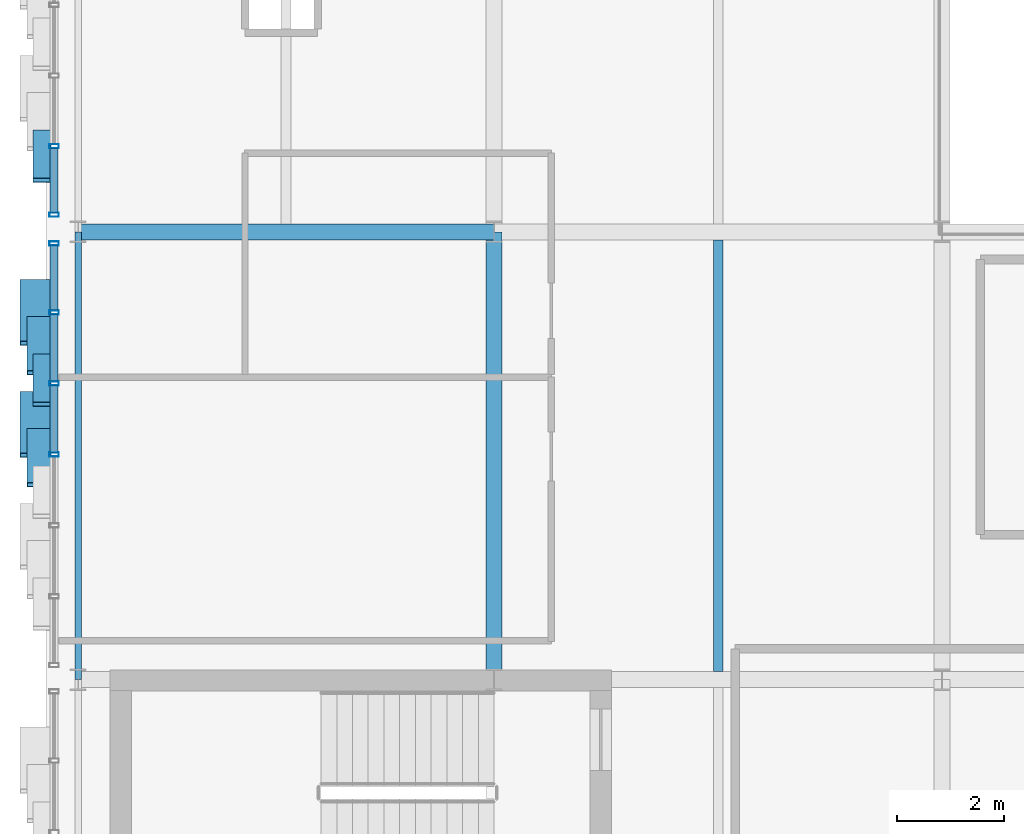
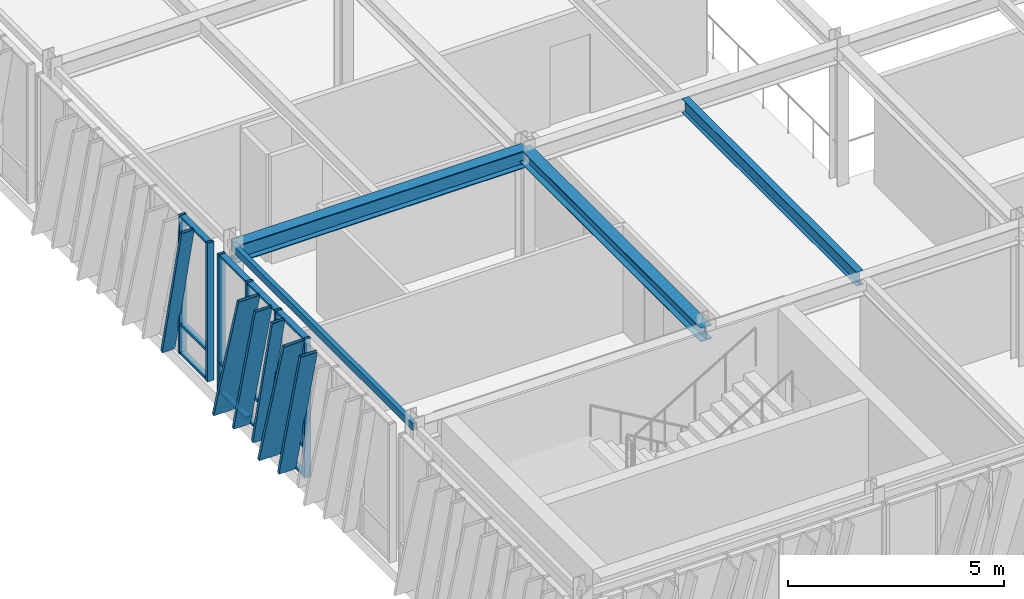
# One storey, part 36 of 127: 24 members, 4 beams, 2 elements without a shape of their own.
"""IFC4 building model written with IfcOpenShell, lengths in metres."""

import ifcopenshell
import ifcopenshell.guid

model = None  # the IFC model being written
_history = None  # IfcOwnerHistory: only IFC2X3 demands one
_inside = {}  # id of a spatial element -> (the spatial element, [elements in it])
_under = {}  # id of a project, library or spatial element -> (it, [spatial elements below it])
_declared = {}  # id of a project -> (the project, [libraries it declares])
_typed = {}  # id of a type object -> (the type object, [elements of that type])
_made_of = {}  # id of a material, layer set ... -> (it, [elements and type objects made of it])


def new_model(schema):
    """Start an empty IFC model of exactly this schema.

    Asked for "IFC4X3", IfcOpenShell would pick the latest addendum, in which some entities
    have other attributes; the version numbers below select the first issue.
    IFC2X3 requires an IfcOwnerHistory on every rooted entity: one is made here for all.
    """
    global model, _history
    if schema == "IFC4X3":
        model = ifcopenshell.file(schema_version=(4, 3, 0, 0))
    else:
        model = ifcopenshell.file(schema=schema)
    _inside.clear()
    _under.clear()
    _declared.clear()
    _typed.clear()
    _made_of.clear()
    _history = None
    if model.schema == "IFC2X3":
        org = make("IfcOrganization", Name="unknown")
        user = make(
            "IfcPersonAndOrganization",
            ThePerson=make("IfcPerson", FamilyName="unknown"),
            TheOrganization=org,
        )
        app = make(
            "IfcApplication",
            ApplicationDeveloper=org,
            Version="unknown",
            ApplicationFullName="unknown",
            ApplicationIdentifier="unknown",
        )
        _history = make(
            "IfcOwnerHistory",
            OwningUser=user,
            OwningApplication=app,
            ChangeAction="ADDED",
            CreationDate=0,
        )
    return model


def make(cls, **values):
    """One entity of the class cls with the attributes given. An attribute that is None is left unset."""
    return model.create_entity(
        cls, **{name: value for name, value in values.items() if value is not None}
    )


def rooted(cls, **values):
    """An entity with a GlobalId (a new one), such as an element, a storey or a relation."""
    return make(cls, GlobalId=ifcopenshell.guid.new(), OwnerHistory=_history, **values)


def si_unit(unit_type, name, prefix=None):
    """IfcSIUnit, for example si_unit("LENGTHUNIT", "METRE", prefix="MILLI")."""
    return make("IfcSIUnit", UnitType=unit_type, Prefix=prefix, Name=name)


def assignment(units):
    """IfcUnitAssignment: the units of a project."""
    return None if units is None else make("IfcUnitAssignment", Units=units)


def point(xyz):
    """IfcCartesianPoint."""
    return None if xyz is None else make("IfcCartesianPoint", Coordinates=xyz)


def direction(xyz):
    """IfcDirection."""
    return None if xyz is None else make("IfcDirection", DirectionRatios=xyz)


def frame(location, z_axis=None, x_axis=None):
    """IfcAxis2Placement3D, a coordinate frame: its origin and axes. An axis left out is left unset."""
    return make(
        "IfcAxis2Placement3D",
        Location=point(location),
        Axis=direction(z_axis),
        RefDirection=direction(x_axis),
    )


def frame_2d(location, x_axis=None):
    """IfcAxis2Placement2D, a coordinate frame in the plane: its origin and x axis."""
    return make(
        "IfcAxis2Placement2D", Location=point(location), RefDirection=direction(x_axis)
    )


def origin():
    """The frame at (0, 0, 0) with its axes left unset."""
    return frame((0.0, 0.0, 0.0))


def origin_2d():
    """The frame at (0, 0) in the plane with its x axis left unset."""
    return frame_2d((0.0, 0.0))


def place(relative_to, where):
    """IfcLocalPlacement: puts the frame where relative to a parent placement (None: the world)."""
    return make(
        "IfcLocalPlacement", PlacementRelTo=relative_to, RelativePlacement=where
    )


def context(
    kind, dimensions, precision=None, world=None, true_north=None, identifier=None
):
    """IfcGeometricRepresentationContext, for example the 3D "Model" context."""
    return make(
        "IfcGeometricRepresentationContext",
        ContextIdentifier=identifier,
        ContextType=kind,
        CoordinateSpaceDimension=dimensions,
        Precision=precision,
        WorldCoordinateSystem=world,
        TrueNorth=true_north,
    )


def subcontext(parent, identifier, kind, view, scale=None):
    """IfcGeometricRepresentationSubContext, for example "Body" below "Model"."""
    return make(
        "IfcGeometricRepresentationSubContext",
        ContextIdentifier=identifier,
        ContextType=kind,
        ParentContext=parent,
        TargetScale=scale,
        TargetView=view,
    )


def project(units=None, contexts=None):
    """IfcProject with its units and contexts."""
    return rooted(
        "IfcProject",
        Name="project",
        RepresentationContexts=contexts,
        UnitsInContext=assignment(units),
    )


def spatial(cls, under=None, at=None, **own):
    """A site, building, storey or space (cls), placed at a placement, below another one or the project."""
    s = rooted(cls, ObjectPlacement=at, **own)
    if under is not None:
        _under.setdefault(under.id(), (under, []))[1].append(s)
    return s


def profile(cls, at=None, kind="AREA", **sizes):
    """A parametric profile (cls). Its sizes go by their IFC names, for example OverallWidth=200.0."""
    return make(cls, ProfileType=kind, Position=at, **sizes)


def hollow_rectangle(**sizes):
    """IfcRectangleHollowProfileDef."""
    return profile("IfcRectangleHollowProfileDef", **sizes)


def i_section(**sizes):
    """IfcIShapeProfileDef."""
    return profile("IfcIShapeProfileDef", **sizes)


def extrude(swept, where, along, depth):
    """IfcExtrudedAreaSolid: the profile swept, set in the frame where, extruded along a direction by depth."""
    return make(
        "IfcExtrudedAreaSolid",
        SweptArea=swept,
        Position=where,
        ExtrudedDirection=direction(along),
        Depth=depth,
    )


def shape(context_of_items, identifier, shape_type, items):
    """IfcShapeRepresentation: the items that make up one representation, for example the "Body"."""
    return make(
        "IfcShapeRepresentation",
        ContextOfItems=context_of_items,
        RepresentationIdentifier=identifier,
        RepresentationType=shape_type,
        Items=items,
    )


def material(Name=None, Category=None):
    """IfcMaterial."""
    return make("IfcMaterial", Name=Name, Category=Category)


def layer(
    of_material, thickness, ventilated=None, Name=None, Category=None, Priority=None
):
    """IfcMaterialLayer: one layer of a wall or slab, of a material (None: an air gap)."""
    return make(
        "IfcMaterialLayer",
        Material=of_material,
        LayerThickness=thickness,
        IsVentilated=ventilated,
        Name=Name,
        Category=Category,
        Priority=Priority,
    )


def layer_set(layers, Name=None):
    """IfcMaterialLayerSet."""
    return make("IfcMaterialLayerSet", MaterialLayers=layers, LayerSetName=Name)


def material_profile(
    of_material, cross_section, Name=None, Category=None, Priority=None
):
    """IfcMaterialProfile: a cross section and its material."""
    return make(
        "IfcMaterialProfile",
        Name=Name,
        Material=of_material,
        Profile=cross_section,
        Priority=Priority,
        Category=Category,
    )


def profile_set(profiles, Name=None, composite=None):
    """IfcMaterialProfileSet."""
    return make(
        "IfcMaterialProfileSet",
        Name=Name,
        MaterialProfiles=profiles,
        CompositeProfile=composite,
    )


def made_of(thing, what):
    """Note that an element or type object is made of a material, layer set ...; save() writes the relation."""
    if what is not None:
        _made_of.setdefault(what.id(), (what, []))[1].append(thing)
    return thing


def type_object(cls, material=None, **own):
    """A type object (cls), such as IfcWallType, which elements share."""
    return made_of(rooted(cls, **own), material)


def element(
    cls,
    number,
    at=None,
    inside=None,
    cuts=None,
    type_object=None,
    material=None,
    context=None,
    identifier="Body",
    shape_type=None,
    held_by="IfcProductDefinitionShape",
    body=None,
    shapes=None,
    **own,
):
    """One element of the class cls, such as IfcWall. Its Tag is "e" and its number.

    at: its placement. inside: the storey or other place that contains it. cuts: it is an
    opening in that element (IfcRelVoidsElement). A single representation is given by context,
    identifier, shape_type and body (its items); several are given by shapes. held_by: the class
    of the entity that holds the representations. save() writes the other relations.
    """
    e = rooted(cls, Tag="e%d" % number, ObjectPlacement=at, **own)
    if body is not None:
        shapes = [shape(context, identifier, shape_type, body)]
    if shapes is not None:
        e.Representation = make(held_by, Representations=shapes)
    if inside is not None:
        _inside.setdefault(inside.id(), (inside, []))[1].append(e)
    if cuts is not None:
        rooted(
            "IfcRelVoidsElement", RelatingBuildingElement=cuts, RelatedOpeningElement=e
        )
    if type_object is not None:
        _typed.setdefault(type_object.id(), (type_object, []))[1].append(e)
    return made_of(e, material)


def aggregate(whole, parts):
    """IfcRelAggregates: a whole, such as a stair, and the parts it consists of."""
    return rooted("IfcRelAggregates", RelatingObject=whole, RelatedObjects=parts)


def save(model, path):
    """Write the relations noted so far, then the file.

    IfcRelAggregates (storeys below a building ...), IfcRelContainedInSpatialStructure (elements
    in a storey), IfcRelDefinesByType, IfcRelAssociatesMaterial and IfcRelDeclares: one each for
    every whole, place, type object, material and project.
    """
    for whole, parts in _under.values():
        aggregate(whole, parts)
    for where, things in _inside.values():
        rooted(
            "IfcRelContainedInSpatialStructure",
            RelatedElements=things,
            RelatingStructure=where,
        )
    for kind, things in _typed.values():
        rooted("IfcRelDefinesByType", RelatedObjects=things, RelatingType=kind)
    for what, things in _made_of.values():
        rooted("IfcRelAssociatesMaterial", RelatedObjects=things, RelatingMaterial=what)
    for by, libraries in _declared.values():
        rooted("IfcRelDeclares", RelatingContext=by, RelatedDefinitions=libraries)
    model.write(path)


model = new_model("IFC4")

# Units and contexts
model_context = context("Model", 3, precision=1e-05, world=origin(), true_north=direction((0.0, 1.0)))
body_context = subcontext(model_context, "Body", "Model", "MODEL_VIEW")
ifc_project = project(units=[si_unit("LENGTHUNIT", "METRE"), si_unit("AREAUNIT", "SQUARE_METRE"), si_unit("VOLUMEUNIT", "CUBIC_METRE"), si_unit("PLANEANGLEUNIT", "RADIAN"), si_unit("MASSUNIT", "GRAM", prefix="KILO")], contexts=[model_context])

# Site, building, storey
site_placement = place(None, origin())
site = spatial("IfcSite", under=ifc_project, at=site_placement, CompositionType="ELEMENT")
building_placement = place(site_placement, origin())
building = spatial("IfcBuilding", under=site, at=building_placement, Name="Zayran Congress Hotel", CompositionType="ELEMENT")
storey_placement = place(building_placement, frame((0.0, 0.0, 10.800048828125)))
storey = spatial("IfcBuildingStorey", under=building, at=storey_placement, Name="L02", CompositionType="ELEMENT", Elevation=10.800048828125)

# Beams
ifc_material_1 = material(Name="Steel S355", Category="steel")
ifc_material_profile_1 = material_profile(ifc_material_1, i_section(OverallWidth=0.300048828125, OverallDepth=0.489990234375, WebThickness=0.011962890625, FlangeThickness=0.02294921875, at=origin_2d()), Name="HEA 500")
ifc_profile_set_1 = profile_set([ifc_material_profile_1], Name="Steel S355")
beam_type_1 = type_object("IfcBeamType", Name="TP-BM-05", PredefinedType="BEAM", material=ifc_profile_set_1)
beam_1_placement = place(storey_placement, frame((9.0, 84.39990234375, 3.675048828125), z_axis=(1.0, 0.0, 0.0), x_axis=(0.0, 1.0, 0.0)))
element("IfcBeam", 1, at=beam_1_placement, inside=storey, type_object=beam_type_1, Name="BM-V1-L02-0672", PredefinedType="BEAM", context=body_context, shape_type="SweptSolid", body=[
    extrude(i_section(OverallWidth=0.300048828125, OverallDepth=0.489990234375, WebThickness=0.011962890625, FlangeThickness=0.02294921875, at=origin_2d()), origin(), (0.0, 0.0, 1.0), 7.800048828125),
])
ifc_material_profile_2 = material_profile(ifc_material_1, i_section(OverallWidth=0.300048828125, OverallDepth=0.389892578125, WebThickness=0.010986328125, FlangeThickness=0.01904296875, at=origin_2d()), Name="HEA 400")
ifc_profile_set_2 = profile_set([ifc_material_profile_2], Name="Steel S355")
beam_type_2 = type_object("IfcBeamType", Name="TP-BM-06", PredefinedType="BEAM", material=ifc_profile_set_2)
beam_2_placement = place(storey_placement, frame((16.800048828125, 76.0, 3.724853515625), z_axis=(0.0, 1.0, 0.0), x_axis=(-1.0, 0.0, 0.0)))
element("IfcBeam", 2, at=beam_2_placement, inside=storey, type_object=beam_type_2, Name="BM-V1-L02-0716", PredefinedType="BEAM", context=body_context, shape_type="SweptSolid", body=[
    extrude(i_section(OverallWidth=0.300048828125, OverallDepth=0.389892578125, WebThickness=0.010986328125, FlangeThickness=0.01904296875, at=origin_2d()), origin(), (0.0, 0.0, 1.0), 8.39990234375),
])
ifc_material_profile_3 = material_profile(ifc_material_1, i_section(OverallWidth=0.179931640625, OverallDepth=0.39990234375, WebThickness=0.008544921875, FlangeThickness=0.013427734375, at=origin_2d()), Name="IPE 400")
ifc_profile_set_3 = profile_set([ifc_material_profile_3], Name="Steel S355")
beam_type_3 = type_object("IfcBeamType", Name="TP-JS-03", PredefinedType="JOIST", material=ifc_profile_set_3)
beam_3_placement = place(storey_placement, frame((21.0, 76.14990234375, 3.719970703125), z_axis=(0.0, 1.0, 0.0), x_axis=(-1.0, 0.0, 0.0)))
element("IfcBeam", 3, at=beam_3_placement, inside=storey, type_object=beam_type_3, Name="JST-V1-L02-0760", PredefinedType="JOIST", context=body_context, shape_type="SweptSolid", body=[
    extrude(i_section(OverallWidth=0.179931640625, OverallDepth=0.39990234375, WebThickness=0.008544921875, FlangeThickness=0.013427734375, at=origin_2d()), origin(), (0.0, 0.0, 1.0), 8.10009765625),
])
ifc_material_profile_4 = material_profile(ifc_material_1, hollow_rectangle(XDim=0.1201171875, YDim=0.199951171875, WallThickness=0.008056640625, at=origin_2d()), Name="RHS 200x120x8")
ifc_profile_set_4 = profile_set([ifc_material_profile_4], Name="Steel S355")
beam_type_4 = type_object("IfcBeamType", Name="TP-SP-02", PredefinedType="SPANDREL", material=ifc_profile_set_4)
beam_4_placement = place(storey_placement, frame((9.0, 76.0, 3.820068359375), z_axis=(0.0, 1.0, 0.0), x_axis=(-1.0, 0.0, 0.0)))
element("IfcBeam", 4, at=beam_4_placement, inside=storey, type_object=beam_type_4, Name="BM-V1-L02-0711", PredefinedType="SPANDREL", context=body_context, shape_type="SweptSolid", body=[
    extrude(hollow_rectangle(XDim=0.1201171875, YDim=0.199951171875, WallThickness=0.008056640625, at=origin_2d()), origin(), (0.0, 0.0, 1.0), 8.39990234375),
])

# Curtain wall, members
ifc_material_2 = material(Name="Anodised aluminium and low-E insulated glass", Category="aluminium")
ifc_layer_1 = layer(ifc_material_2, 0.179931640625)
ifc_layer_set_1 = layer_set([ifc_layer_1], Name="Anodised aluminium and low-E insulated glass")
curtain_wall_type_1 = type_object("IfcCurtainWallType", Name="CW-V1W-L02-CW-32-7990-3920", PredefinedType="USERDEFINED", material=ifc_layer_set_1)
curtain_wall_1_placement = place(storey_placement, origin())
curtain_wall_1 = element("IfcCurtainWall", 5, at=curtain_wall_1_placement, inside=storey, type_object=curtain_wall_type_1, Name="CW-V1W-L02-1", ObjectType="CURTAIN WALL", PredefinedType="USERDEFINED")
ifc_material_3 = material(Name="Anodised aluminium framing", Category="aluminium")
ifc_material_profile_5 = material_profile(ifc_material_3, hollow_rectangle(XDim=0.080078125, YDim=0.179931640625, WallThickness=0.0048828125, at=origin_2d()), Name="RHS 180x80x5")
ifc_profile_set_5 = profile_set([ifc_material_profile_5], Name="Anodised aluminium framing")
member_type_1 = type_object("IfcMemberType", Name="TP-CWM-01", PredefinedType="MULLION", material=ifc_profile_set_5)
member_1_placement = place(storey_placement, frame((8.550048828125, 84.179931640625, 0.0), z_axis=(0.0, 0.0, 1.0), x_axis=(0.0, 1.0, 0.0)))
member_1 = element("IfcMember", 6, at=member_1_placement, type_object=member_type_1, Name="CW-V1W-L02-1-M00", PredefinedType="MULLION", context=body_context, shape_type="SweptSolid", body=[
    extrude(hollow_rectangle(XDim=0.080078125, YDim=0.179931640625, WallThickness=0.0048828125, at=origin_2d()), origin(), (0.0, 0.0, 1.0), 3.919921875),
])
member_2_placement = place(storey_placement, frame((8.550048828125, 82.88818359375, 0.0), z_axis=(0.0, 0.0, 1.0), x_axis=(0.0, 1.0, 0.0)))
member_2 = element("IfcMember", 7, at=member_2_placement, type_object=member_type_1, Name="CW-V1W-L02-1-M01", PredefinedType="MULLION", context=body_context, shape_type="SweptSolid", body=[
    extrude(hollow_rectangle(XDim=0.080078125, YDim=0.179931640625, WallThickness=0.0048828125, at=origin_2d()), origin(), (0.0, 0.0, 1.0), 3.919921875),
])
member_3_placement = place(storey_placement, frame((8.550048828125, 81.556640625, 0.0), z_axis=(0.0, 0.0, 1.0), x_axis=(0.0, 1.0, 0.0)))
member_3 = element("IfcMember", 8, at=member_3_placement, type_object=member_type_1, Name="CW-V1W-L02-1-M02", PredefinedType="MULLION", context=body_context, shape_type="SweptSolid", body=[
    extrude(hollow_rectangle(XDim=0.080078125, YDim=0.179931640625, WallThickness=0.0048828125, at=origin_2d()), origin(), (0.0, 0.0, 1.0), 3.919921875),
])
member_4_placement = place(storey_placement, frame((8.550048828125, 80.22509765625, 0.0), z_axis=(0.0, 0.0, 1.0), x_axis=(0.0, 1.0, 0.0)))
member_4 = element("IfcMember", 9, at=member_4_placement, type_object=member_type_1, Name="CW-V1W-L02-1-M03", PredefinedType="MULLION", context=body_context, shape_type="SweptSolid", body=[
    extrude(hollow_rectangle(XDim=0.080078125, YDim=0.179931640625, WallThickness=0.0048828125, at=origin_2d()), origin(), (0.0, 0.0, 1.0), 3.919921875),
])

ifc_layer_2 = layer(ifc_material_2, 0.179931640625)
ifc_layer_set_2 = layer_set([ifc_layer_2], Name="Anodised aluminium and low-E insulated glass")
curtain_wall_type_2 = type_object("IfcCurtainWallType", Name="CW-V1W-L02-CW-31-7940-3920", PredefinedType="USERDEFINED", material=ifc_layer_set_2)
curtain_wall_2_placement = place(storey_placement, origin())
curtain_wall_2 = element("IfcCurtainWall", 10, at=curtain_wall_2_placement, inside=storey, type_object=curtain_wall_type_2, Name="CW-V1W-L02-2", ObjectType="CURTAIN WALL", PredefinedType="USERDEFINED")
member_5_placement = place(storey_placement, frame((8.550048828125, 86.00341796875, 0.0), z_axis=(0.0, 0.0, 1.0), x_axis=(0.0, 1.0, 0.0)))
member_5 = element("IfcMember", 11, at=member_5_placement, type_object=member_type_1, Name="CW-V1W-L02-2-M05", PredefinedType="MULLION", context=body_context, shape_type="SweptSolid", body=[
    extrude(hollow_rectangle(XDim=0.080078125, YDim=0.179931640625, WallThickness=0.0048828125, at=origin_2d()), origin(), (0.0, 0.0, 1.0), 3.919921875),
])
member_6_placement = place(storey_placement, frame((8.550048828125, 84.719970703125, 0.0), z_axis=(0.0, 0.0, 1.0), x_axis=(0.0, 1.0, 0.0)))
member_6 = element("IfcMember", 12, at=member_6_placement, type_object=member_type_1, Name="CW-V1W-L02-2-M06", PredefinedType="MULLION", context=body_context, shape_type="SweptSolid", body=[
    extrude(hollow_rectangle(XDim=0.080078125, YDim=0.179931640625, WallThickness=0.0048828125, at=origin_2d()), origin(), (0.0, 0.0, 1.0), 3.919921875),
])

# Member
ifc_material_profile_6 = material_profile(ifc_material_3, hollow_rectangle(XDim=0.06005859375, YDim=0.14990234375, WallThickness=0.00390625, at=origin_2d()), Name="RHS 150x60x4")
ifc_profile_set_6 = profile_set([ifc_material_profile_6], Name="Anodised aluminium framing")
member_type_2 = type_object("IfcMemberType", Name="TP-CWT-01", PredefinedType="USERDEFINED", material=ifc_profile_set_6)
member_7_placement = place(storey_placement, frame((8.550048828125, 84.139892578125, 0.030029296875), z_axis=(0.0, -1.0, 0.0), x_axis=(0.0, 0.0, 1.0)))
member_7 = element("IfcMember", 13, at=member_7_placement, type_object=member_type_2, Name="CW-V1W-L02-1-T00-0", ObjectType="TRANSOM", PredefinedType="USERDEFINED", context=body_context, shape_type="SweptSolid", body=[
    extrude(hollow_rectangle(XDim=0.06005859375, YDim=0.14990234375, WallThickness=0.00390625, at=origin_2d()), origin(), (0.0, 0.0, 1.0), 1.211669921875),
])

member_8_placement = place(storey_placement, frame((8.550048828125, 84.139892578125, 0.83984375), z_axis=(0.0, -1.0, 0.0), x_axis=(0.0, 0.0, 1.0)))
member_8 = element("IfcMember", 14, at=member_8_placement, type_object=member_type_2, Name="CW-V1W-L02-1-T00-1", ObjectType="TRANSOM", PredefinedType="USERDEFINED", context=body_context, shape_type="SweptSolid", body=[
    extrude(hollow_rectangle(XDim=0.06005859375, YDim=0.14990234375, WallThickness=0.00390625, at=origin_2d()), origin(), (0.0, 0.0, 1.0), 1.211669921875),
])

member_9_placement = place(storey_placement, frame((8.550048828125, 84.139892578125, 3.889892578125), z_axis=(0.0, -1.0, 0.0), x_axis=(0.0, 0.0, 1.0)))
member_9 = element("IfcMember", 15, at=member_9_placement, type_object=member_type_2, Name="CW-V1W-L02-1-T00-2", ObjectType="TRANSOM", PredefinedType="USERDEFINED", context=body_context, shape_type="SweptSolid", body=[
    extrude(hollow_rectangle(XDim=0.06005859375, YDim=0.14990234375, WallThickness=0.00390625, at=origin_2d()), origin(), (0.0, 0.0, 1.0), 1.211669921875),
])

member_10_placement = place(storey_placement, frame((8.550048828125, 82.848388671875, 0.030029296875), z_axis=(0.0, -1.0, 0.0), x_axis=(0.0, 0.0, 1.0)))
member_10 = element("IfcMember", 16, at=member_10_placement, type_object=member_type_2, Name="CW-V1W-L02-1-T01-0", ObjectType="TRANSOM", PredefinedType="USERDEFINED", context=body_context, shape_type="SweptSolid", body=[
    extrude(hollow_rectangle(XDim=0.06005859375, YDim=0.14990234375, WallThickness=0.00390625, at=origin_2d()), origin(), (0.0, 0.0, 1.0), 1.251708984375),
])

member_11_placement = place(storey_placement, frame((8.550048828125, 82.848388671875, 0.83984375), z_axis=(0.0, -1.0, 0.0), x_axis=(0.0, 0.0, 1.0)))
member_11 = element("IfcMember", 17, at=member_11_placement, type_object=member_type_2, Name="CW-V1W-L02-1-T01-1", ObjectType="TRANSOM", PredefinedType="USERDEFINED", context=body_context, shape_type="SweptSolid", body=[
    extrude(hollow_rectangle(XDim=0.06005859375, YDim=0.14990234375, WallThickness=0.00390625, at=origin_2d()), origin(), (0.0, 0.0, 1.0), 1.251708984375),
])

member_12_placement = place(storey_placement, frame((8.550048828125, 82.848388671875, 3.889892578125), z_axis=(0.0, -1.0, 0.0), x_axis=(0.0, 0.0, 1.0)))
member_12 = element("IfcMember", 18, at=member_12_placement, type_object=member_type_2, Name="CW-V1W-L02-1-T01-2", ObjectType="TRANSOM", PredefinedType="USERDEFINED", context=body_context, shape_type="SweptSolid", body=[
    extrude(hollow_rectangle(XDim=0.06005859375, YDim=0.14990234375, WallThickness=0.00390625, at=origin_2d()), origin(), (0.0, 0.0, 1.0), 1.251708984375),
])

member_13_placement = place(storey_placement, frame((8.550048828125, 81.5166015625, 0.030029296875), z_axis=(0.0, -1.0, 0.0), x_axis=(0.0, 0.0, 1.0)))
member_13 = element("IfcMember", 19, at=member_13_placement, type_object=member_type_2, Name="CW-V1W-L02-1-T02-0", ObjectType="TRANSOM", PredefinedType="USERDEFINED", context=body_context, shape_type="SweptSolid", body=[
    extrude(hollow_rectangle(XDim=0.06005859375, YDim=0.14990234375, WallThickness=0.00390625, at=origin_2d()), origin(), (0.0, 0.0, 1.0), 1.251708984375),
])

member_14_placement = place(storey_placement, frame((8.550048828125, 81.5166015625, 0.83984375), z_axis=(0.0, -1.0, 0.0), x_axis=(0.0, 0.0, 1.0)))
member_14 = element("IfcMember", 20, at=member_14_placement, type_object=member_type_2, Name="CW-V1W-L02-1-T02-1", ObjectType="TRANSOM", PredefinedType="USERDEFINED", context=body_context, shape_type="SweptSolid", body=[
    extrude(hollow_rectangle(XDim=0.06005859375, YDim=0.14990234375, WallThickness=0.00390625, at=origin_2d()), origin(), (0.0, 0.0, 1.0), 1.251708984375),
])

member_15_placement = place(storey_placement, frame((8.550048828125, 81.5166015625, 3.889892578125), z_axis=(0.0, -1.0, 0.0), x_axis=(0.0, 0.0, 1.0)))
member_15 = element("IfcMember", 21, at=member_15_placement, type_object=member_type_2, Name="CW-V1W-L02-1-T02-2", ObjectType="TRANSOM", PredefinedType="USERDEFINED", context=body_context, shape_type="SweptSolid", body=[
    extrude(hollow_rectangle(XDim=0.06005859375, YDim=0.14990234375, WallThickness=0.00390625, at=origin_2d()), origin(), (0.0, 0.0, 1.0), 1.251708984375),
])

member_16_placement = place(storey_placement, frame((8.550048828125, 85.96337890625, 0.030029296875), z_axis=(0.0, -1.0, 0.0), x_axis=(0.0, 0.0, 1.0)))
member_16 = element("IfcMember", 22, at=member_16_placement, type_object=member_type_2, Name="CW-V1W-L02-2-T05-0", ObjectType="TRANSOM", PredefinedType="USERDEFINED", context=body_context, shape_type="SweptSolid", body=[
    extrude(hollow_rectangle(XDim=0.06005859375, YDim=0.14990234375, WallThickness=0.00390625, at=origin_2d()), origin(), (0.0, 0.0, 1.0), 1.203369140625),
])

member_17_placement = place(storey_placement, frame((8.550048828125, 85.96337890625, 0.83984375), z_axis=(0.0, -1.0, 0.0), x_axis=(0.0, 0.0, 1.0)))
member_17 = element("IfcMember", 23, at=member_17_placement, type_object=member_type_2, Name="CW-V1W-L02-2-T05-1", ObjectType="TRANSOM", PredefinedType="USERDEFINED", context=body_context, shape_type="SweptSolid", body=[
    extrude(hollow_rectangle(XDim=0.06005859375, YDim=0.14990234375, WallThickness=0.00390625, at=origin_2d()), origin(), (0.0, 0.0, 1.0), 1.203369140625),
])

member_18_placement = place(storey_placement, frame((8.550048828125, 85.96337890625, 3.889892578125), z_axis=(0.0, -1.0, 0.0), x_axis=(0.0, 0.0, 1.0)))
member_18 = element("IfcMember", 24, at=member_18_placement, type_object=member_type_2, Name="CW-V1W-L02-2-T05-2", ObjectType="TRANSOM", PredefinedType="USERDEFINED", context=body_context, shape_type="SweptSolid", body=[
    extrude(hollow_rectangle(XDim=0.06005859375, YDim=0.14990234375, WallThickness=0.00390625, at=origin_2d()), origin(), (0.0, 0.0, 1.0), 1.203369140625),
])

ifc_material_4 = material(Name="Warm bronze anodised aluminium", Category="aluminium")
ifc_material_profile_7 = material_profile(ifc_material_4, hollow_rectangle(XDim=0.080078125, YDim=0.580078125, WallThickness=0.006103515625, at=origin_2d()), Name="RHS 580x80x6")
ifc_profile_set_7 = profile_set([ifc_material_profile_7], Name="Warm bronze anodised aluminium")
member_type_3 = type_object("IfcMemberType", Name="TP-RFN-01", PredefinedType="MULLION", material=ifc_profile_set_7)
member_19_placement = place(storey_placement, frame((8.199951171875, 83.469970703125, 0.0), z_axis=(0.0, -0.28401513196, 0.958819797886), x_axis=(0.0, 0.958819797886, 0.28401513196)))
member_19 = element("IfcMember", 25, at=member_19_placement, type_object=member_type_3, Name="Slanting Reed Mullion CW-32-01", PredefinedType="MULLION", context=body_context, shape_type="SweptSolid", body=[
    extrude(hollow_rectangle(XDim=0.080078125, YDim=0.580078125, WallThickness=0.006103515625, at=origin_2d()), origin(), (0.0, 0.0, 1.0), 4.08837890625),
])

member_20_placement = place(storey_placement, frame((8.199951171875, 81.3701171875, 0.0), z_axis=(0.0, -0.284070030724, 0.958803534435), x_axis=(0.0, 0.958803534435, 0.284070030724)))
member_20 = element("IfcMember", 26, at=member_20_placement, type_object=member_type_3, Name="Slanting Reed Mullion CW-32-04", PredefinedType="MULLION", context=body_context, shape_type="SweptSolid", body=[
    extrude(hollow_rectangle(XDim=0.080078125, YDim=0.580078125, WallThickness=0.006103515625, at=origin_2d()), origin(), (0.0, 0.0, 1.0), 4.08837890625),
])

ifc_material_profile_8 = material_profile(ifc_material_4, hollow_rectangle(XDim=0.080078125, YDim=0.449951171875, WallThickness=0.006103515625, at=origin_2d()), Name="RHS 450x80x6")
ifc_profile_set_8 = profile_set([ifc_material_profile_8], Name="Warm bronze anodised aluminium")
member_type_4 = type_object("IfcMemberType", Name="TP-RFN-02", PredefinedType="MULLION", material=ifc_profile_set_8)
member_21_placement = place(storey_placement, frame((8.264892578125, 82.77001953125, 0.0), z_axis=(0.0, -0.250415952743, 0.968138342703), x_axis=(0.0, 0.968138342703, 0.250415952743)))
member_21 = element("IfcMember", 27, at=member_21_placement, type_object=member_type_4, Name="Slanting Reed Mullion CW-32-02", PredefinedType="MULLION", context=body_context, shape_type="SweptSolid", body=[
    extrude(hollow_rectangle(XDim=0.080078125, YDim=0.449951171875, WallThickness=0.006103515625, at=origin_2d()), origin(), (0.0, 0.0, 1.0), 4.048828125),
])

member_22_placement = place(storey_placement, frame((8.264892578125, 80.669921875, 0.0), z_axis=(0.0, -0.25035943501, 0.968152959662), x_axis=(0.0, 0.968152959662, 0.25035943501)))
member_22 = element("IfcMember", 28, at=member_22_placement, type_object=member_type_4, Name="Slanting Reed Mullion CW-32-05", PredefinedType="MULLION", context=body_context, shape_type="SweptSolid", body=[
    extrude(hollow_rectangle(XDim=0.080078125, YDim=0.449951171875, WallThickness=0.006103515625, at=origin_2d()), origin(), (0.0, 0.0, 1.0), 4.048828125),
])

ifc_material_profile_9 = material_profile(ifc_material_4, hollow_rectangle(XDim=0.080078125, YDim=0.340087890625, WallThickness=0.006103515625, at=origin_2d()), Name="RHS 340x80x6")
ifc_profile_set_9 = profile_set([ifc_material_profile_9], Name="Warm bronze anodised aluminium")
member_type_5 = type_object("IfcMemberType", Name="TP-RFN-03", PredefinedType="MULLION", material=ifc_profile_set_9)
member_23_placement = place(storey_placement, frame((8.320068359375, 82.070068359375, 0.0), z_axis=(0.0, -0.224961443605, 0.974367666177), x_axis=(0.0, 0.974367666177, 0.224961443605)))
member_23 = element("IfcMember", 29, at=member_23_placement, type_object=member_type_5, Name="Slanting Reed Mullion CW-32-03", PredefinedType="MULLION", context=body_context, shape_type="SweptSolid", body=[
    extrude(hollow_rectangle(XDim=0.080078125, YDim=0.340087890625, WallThickness=0.006103515625, at=origin_2d()), origin(), (0.0, 0.0, 1.0), 4.02294921875),
])

aggregate(curtain_wall_1, [member_1, member_2, member_3, member_4, member_7, member_8, member_9, member_10, member_11, member_12, member_13, member_14, member_15, member_19, member_21, member_23, member_20, member_22])

member_24_placement = place(storey_placement, frame((8.320068359375, 86.27001953125, 0.0), z_axis=(0.0, -0.224961443605, 0.974367666177), x_axis=(0.0, 0.974367666177, 0.224961443605)))
member_24 = element("IfcMember", 30, at=member_24_placement, type_object=member_type_5, Name="Slanting Reed Mullion CW-31-09", PredefinedType="MULLION", context=body_context, shape_type="SweptSolid", body=[
    extrude(hollow_rectangle(XDim=0.080078125, YDim=0.340087890625, WallThickness=0.006103515625, at=origin_2d()), origin(), (0.0, 0.0, 1.0), 4.02294921875),
])

aggregate(curtain_wall_2, [member_5, member_6, member_16, member_17, member_18, member_24])

save(model, "model.ifc")
